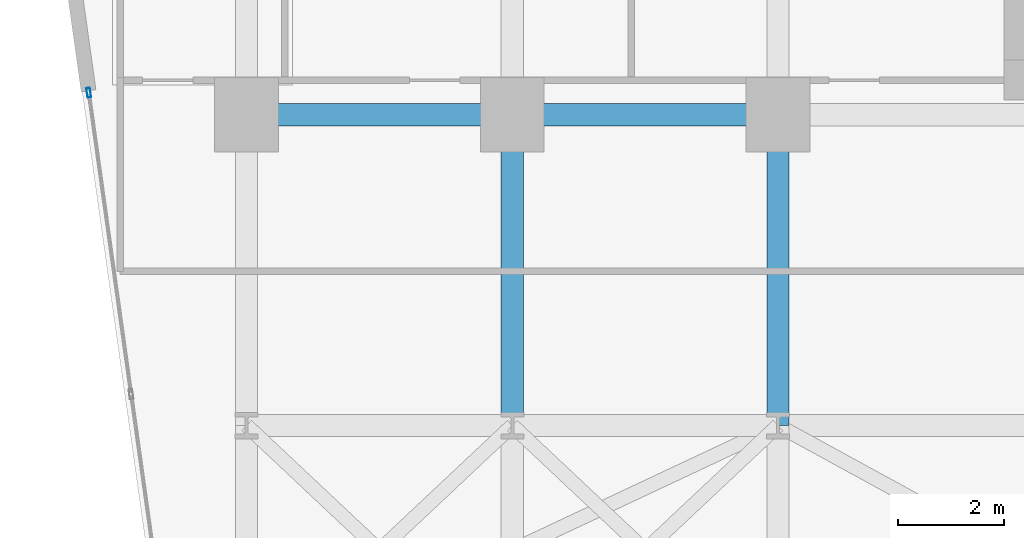
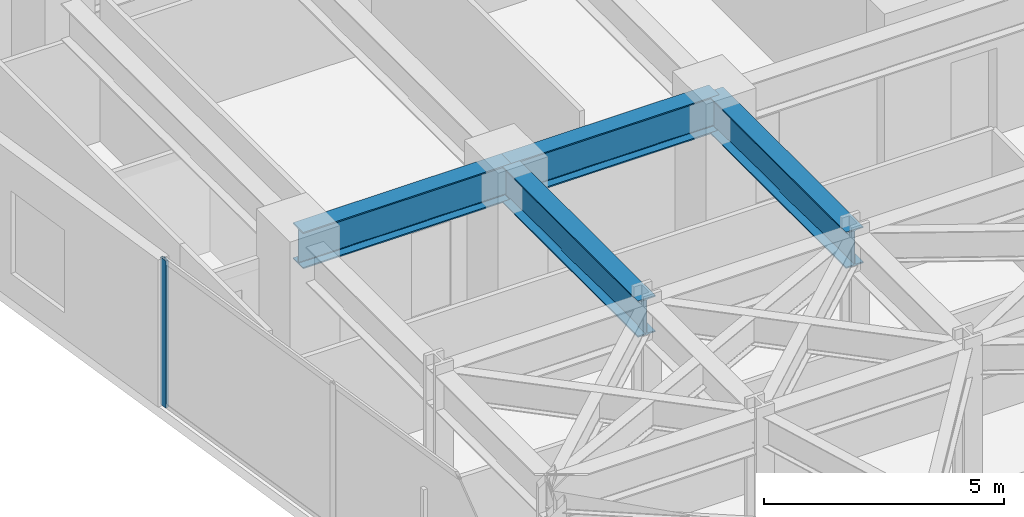
# One storey, part 17 of 24: 4 beams, 1 member, 1 element without a shape of its own.
"""IFC4 building model written with IfcOpenShell, lengths in metres."""

import ifcopenshell
import ifcopenshell.guid

model = None  # the IFC model being written
_history = None  # IfcOwnerHistory: only IFC2X3 demands one
_inside = {}  # id of a spatial element -> (the spatial element, [elements in it])
_under = {}  # id of a project, library or spatial element -> (it, [spatial elements below it])
_declared = {}  # id of a project -> (the project, [libraries it declares])
_typed = {}  # id of a type object -> (the type object, [elements of that type])
_made_of = {}  # id of a material, layer set ... -> (it, [elements and type objects made of it])


def new_model(schema):
    """Start an empty IFC model of exactly this schema.

    Asked for "IFC4X3", IfcOpenShell would pick the latest addendum, in which some entities
    have other attributes; the version numbers below select the first issue.
    IFC2X3 requires an IfcOwnerHistory on every rooted entity: one is made here for all.
    """
    global model, _history
    if schema == "IFC4X3":
        model = ifcopenshell.file(schema_version=(4, 3, 0, 0))
    else:
        model = ifcopenshell.file(schema=schema)
    _inside.clear()
    _under.clear()
    _declared.clear()
    _typed.clear()
    _made_of.clear()
    _history = None
    if model.schema == "IFC2X3":
        org = make("IfcOrganization", Name="unknown")
        user = make(
            "IfcPersonAndOrganization",
            ThePerson=make("IfcPerson", FamilyName="unknown"),
            TheOrganization=org,
        )
        app = make(
            "IfcApplication",
            ApplicationDeveloper=org,
            Version="unknown",
            ApplicationFullName="unknown",
            ApplicationIdentifier="unknown",
        )
        _history = make(
            "IfcOwnerHistory",
            OwningUser=user,
            OwningApplication=app,
            ChangeAction="ADDED",
            CreationDate=0,
        )
    return model


def make(cls, **values):
    """One entity of the class cls with the attributes given. An attribute that is None is left unset."""
    return model.create_entity(
        cls, **{name: value for name, value in values.items() if value is not None}
    )


def rooted(cls, **values):
    """An entity with a GlobalId (a new one), such as an element, a storey or a relation."""
    return make(cls, GlobalId=ifcopenshell.guid.new(), OwnerHistory=_history, **values)


def si_unit(unit_type, name, prefix=None):
    """IfcSIUnit, for example si_unit("LENGTHUNIT", "METRE", prefix="MILLI")."""
    return make("IfcSIUnit", UnitType=unit_type, Prefix=prefix, Name=name)


def assignment(units):
    """IfcUnitAssignment: the units of a project."""
    return None if units is None else make("IfcUnitAssignment", Units=units)


def point(xyz):
    """IfcCartesianPoint."""
    return None if xyz is None else make("IfcCartesianPoint", Coordinates=xyz)


def direction(xyz):
    """IfcDirection."""
    return None if xyz is None else make("IfcDirection", DirectionRatios=xyz)


def frame(location, z_axis=None, x_axis=None):
    """IfcAxis2Placement3D, a coordinate frame: its origin and axes. An axis left out is left unset."""
    return make(
        "IfcAxis2Placement3D",
        Location=point(location),
        Axis=direction(z_axis),
        RefDirection=direction(x_axis),
    )


def frame_2d(location, x_axis=None):
    """IfcAxis2Placement2D, a coordinate frame in the plane: its origin and x axis."""
    return make(
        "IfcAxis2Placement2D", Location=point(location), RefDirection=direction(x_axis)
    )


def origin():
    """The frame at (0, 0, 0) with its axes left unset."""
    return frame((0.0, 0.0, 0.0))


def origin_2d():
    """The frame at (0, 0) in the plane with its x axis left unset."""
    return frame_2d((0.0, 0.0))


def place(relative_to, where):
    """IfcLocalPlacement: puts the frame where relative to a parent placement (None: the world)."""
    return make(
        "IfcLocalPlacement", PlacementRelTo=relative_to, RelativePlacement=where
    )


def context(
    kind, dimensions, precision=None, world=None, true_north=None, identifier=None
):
    """IfcGeometricRepresentationContext, for example the 3D "Model" context."""
    return make(
        "IfcGeometricRepresentationContext",
        ContextIdentifier=identifier,
        ContextType=kind,
        CoordinateSpaceDimension=dimensions,
        Precision=precision,
        WorldCoordinateSystem=world,
        TrueNorth=true_north,
    )


def subcontext(parent, identifier, kind, view, scale=None):
    """IfcGeometricRepresentationSubContext, for example "Body" below "Model"."""
    return make(
        "IfcGeometricRepresentationSubContext",
        ContextIdentifier=identifier,
        ContextType=kind,
        ParentContext=parent,
        TargetScale=scale,
        TargetView=view,
    )


def project(units=None, contexts=None):
    """IfcProject with its units and contexts."""
    return rooted(
        "IfcProject",
        Name="project",
        RepresentationContexts=contexts,
        UnitsInContext=assignment(units),
    )


def spatial(cls, under=None, at=None, **own):
    """A site, building, storey or space (cls), placed at a placement, below another one or the project."""
    s = rooted(cls, ObjectPlacement=at, **own)
    if under is not None:
        _under.setdefault(under.id(), (under, []))[1].append(s)
    return s


def profile(cls, at=None, kind="AREA", **sizes):
    """A parametric profile (cls). Its sizes go by their IFC names, for example OverallWidth=200.0."""
    return make(cls, ProfileType=kind, Position=at, **sizes)


def hollow_rectangle(**sizes):
    """IfcRectangleHollowProfileDef."""
    return profile("IfcRectangleHollowProfileDef", **sizes)


def i_section(**sizes):
    """IfcIShapeProfileDef."""
    return profile("IfcIShapeProfileDef", **sizes)


def extrude(swept, where, along, depth):
    """IfcExtrudedAreaSolid: the profile swept, set in the frame where, extruded along a direction by depth."""
    return make(
        "IfcExtrudedAreaSolid",
        SweptArea=swept,
        Position=where,
        ExtrudedDirection=direction(along),
        Depth=depth,
    )


def shape(context_of_items, identifier, shape_type, items):
    """IfcShapeRepresentation: the items that make up one representation, for example the "Body"."""
    return make(
        "IfcShapeRepresentation",
        ContextOfItems=context_of_items,
        RepresentationIdentifier=identifier,
        RepresentationType=shape_type,
        Items=items,
    )


def material(Name=None, Category=None):
    """IfcMaterial."""
    return make("IfcMaterial", Name=Name, Category=Category)


def layer(
    of_material, thickness, ventilated=None, Name=None, Category=None, Priority=None
):
    """IfcMaterialLayer: one layer of a wall or slab, of a material (None: an air gap)."""
    return make(
        "IfcMaterialLayer",
        Material=of_material,
        LayerThickness=thickness,
        IsVentilated=ventilated,
        Name=Name,
        Category=Category,
        Priority=Priority,
    )


def layer_set(layers, Name=None):
    """IfcMaterialLayerSet."""
    return make("IfcMaterialLayerSet", MaterialLayers=layers, LayerSetName=Name)


def material_profile(
    of_material, cross_section, Name=None, Category=None, Priority=None
):
    """IfcMaterialProfile: a cross section and its material."""
    return make(
        "IfcMaterialProfile",
        Name=Name,
        Material=of_material,
        Profile=cross_section,
        Priority=Priority,
        Category=Category,
    )


def profile_set(profiles, Name=None, composite=None):
    """IfcMaterialProfileSet."""
    return make(
        "IfcMaterialProfileSet",
        Name=Name,
        MaterialProfiles=profiles,
        CompositeProfile=composite,
    )


def made_of(thing, what):
    """Note that an element or type object is made of a material, layer set ...; save() writes the relation."""
    if what is not None:
        _made_of.setdefault(what.id(), (what, []))[1].append(thing)
    return thing


def type_object(cls, material=None, **own):
    """A type object (cls), such as IfcWallType, which elements share."""
    return made_of(rooted(cls, **own), material)


def element(
    cls,
    number,
    at=None,
    inside=None,
    cuts=None,
    type_object=None,
    material=None,
    context=None,
    identifier="Body",
    shape_type=None,
    held_by="IfcProductDefinitionShape",
    body=None,
    shapes=None,
    **own,
):
    """One element of the class cls, such as IfcWall. Its Tag is "e" and its number.

    at: its placement. inside: the storey or other place that contains it. cuts: it is an
    opening in that element (IfcRelVoidsElement). A single representation is given by context,
    identifier, shape_type and body (its items); several are given by shapes. held_by: the class
    of the entity that holds the representations. save() writes the other relations.
    """
    e = rooted(cls, Tag="e%d" % number, ObjectPlacement=at, **own)
    if body is not None:
        shapes = [shape(context, identifier, shape_type, body)]
    if shapes is not None:
        e.Representation = make(held_by, Representations=shapes)
    if inside is not None:
        _inside.setdefault(inside.id(), (inside, []))[1].append(e)
    if cuts is not None:
        rooted(
            "IfcRelVoidsElement", RelatingBuildingElement=cuts, RelatedOpeningElement=e
        )
    if type_object is not None:
        _typed.setdefault(type_object.id(), (type_object, []))[1].append(e)
    return made_of(e, material)


def aggregate(whole, parts):
    """IfcRelAggregates: a whole, such as a stair, and the parts it consists of."""
    return rooted("IfcRelAggregates", RelatingObject=whole, RelatedObjects=parts)


def save(model, path):
    """Write the relations noted so far, then the file.

    IfcRelAggregates (storeys below a building ...), IfcRelContainedInSpatialStructure (elements
    in a storey), IfcRelDefinesByType, IfcRelAssociatesMaterial and IfcRelDeclares: one each for
    every whole, place, type object, material and project.
    """
    for whole, parts in _under.values():
        aggregate(whole, parts)
    for where, things in _inside.values():
        rooted(
            "IfcRelContainedInSpatialStructure",
            RelatedElements=things,
            RelatingStructure=where,
        )
    for kind, things in _typed.values():
        rooted("IfcRelDefinesByType", RelatedObjects=things, RelatingType=kind)
    for what, things in _made_of.values():
        rooted("IfcRelAssociatesMaterial", RelatedObjects=things, RelatingMaterial=what)
    for by, libraries in _declared.values():
        rooted("IfcRelDeclares", RelatingContext=by, RelatedDefinitions=libraries)
    model.write(path)


model = new_model("IFC4")

# Units and contexts
model_context = context("Model", 3, precision=1e-05, world=origin(), true_north=direction((0.0, 1.0)))
body_context = subcontext(model_context, "Body", "Model", "MODEL_VIEW")
ifc_project = project(units=[si_unit("LENGTHUNIT", "METRE"), si_unit("AREAUNIT", "SQUARE_METRE"), si_unit("VOLUMEUNIT", "CUBIC_METRE"), si_unit("PLANEANGLEUNIT", "RADIAN"), si_unit("MASSUNIT", "GRAM", prefix="KILO")], contexts=[model_context])

# Site, building, storey
site_placement = place(None, origin())
site = spatial("IfcSite", under=ifc_project, at=site_placement, CompositionType="ELEMENT")
building_placement = place(site_placement, origin())
building = spatial("IfcBuilding", under=site, at=building_placement, Name="Kravanh Interchange Tower", CompositionType="ELEMENT")
storey_placement = place(building_placement, frame((0.0, 0.0, 61.5)))
storey = spatial("IfcBuildingStorey", under=building, at=storey_placement, Name="L14", CompositionType="ELEMENT", Elevation=61.5)

# Curtain wall, member
ifc_material_1 = material(Name="Anodised Bronze Aluminium", Category="aluminium")
ifc_layer = layer(ifc_material_1, 0.179931640625)
ifc_layer_set = layer_set([ifc_layer], Name="Unitised Curtain Wall System CW-Z1 Lower Office")
curtain_wall_type = type_object("IfcCurtainWallType", Name="Unitised Curtain Wall System CW-Z1 Lower Office", PredefinedType="NOTDEFINED", material=ifc_layer_set)
curtain_wall_placement = place(storey_placement, origin())
curtain_wall = element("IfcCurtainWall", 1, at=curtain_wall_placement, inside=storey, type_object=curtain_wall_type, Name="L14 Unitised Curtain Wall CW-L14-01", PredefinedType="NOTDEFINED")
ifc_material_2 = material(Name="Anodised Bronze Aluminium", Category="aluminium")
ifc_material_profile_1 = material_profile(ifc_material_2, hollow_rectangle(XDim=0.070068359375, YDim=0.179931640625, WallThickness=0.00390625, at=origin_2d()), Name="ALU70X180X4")
ifc_profile_set_1 = profile_set([ifc_material_profile_1], Name="Anodised Bronze Aluminium")
member_type = type_object("IfcMemberType", Name="Curtain Wall Mullion ALU70X180X4 Bronze", PredefinedType="MULLION", material=ifc_profile_set_1)
member_placement = place(storey_placement, frame((5.6298828125, 37.765380859375, 0.0), z_axis=(0.0, 0.0, 1.0), x_axis=(-0.990267585682, -0.139176538065, 0.0)))
member = element("IfcMember", 2, at=member_placement, type_object=member_type, Name="CW-Z1 mullion 7", PredefinedType="MULLION", context=body_context, shape_type="SweptSolid", body=[
    extrude(hollow_rectangle(XDim=0.070068359375, YDim=0.179931640625, WallThickness=0.00390625, at=origin_2d()), origin(), (0.0, 0.0, 1.0), 3.739990234375),
])
aggregate(curtain_wall, [member])

# Beams
ifc_material_3 = material(Name="Structural Steel S355", Category="steel")
ifc_material_profile_2 = material_profile(ifc_material_3, i_section(OverallWidth=0.41796875, OverallDepth=0.927001953125, WebThickness=0.019287109375, FlangeThickness=0.031982421875, FilletRadius=0.028076171875, at=origin_2d()), Name="W36X231")
ifc_profile_set_2 = profile_set([ifc_material_profile_2], Name="Structural Steel S355")
beam_type = type_object("IfcBeamType", Name="Floor Beam W36X231 Structural Steel S355", PredefinedType="BEAM", material=ifc_profile_set_2)
beam_1_placement = place(storey_placement, frame((18.60009765625, 37.35009765625, 3.276611328125), z_axis=(-1.0, 0.0, 0.0), x_axis=(0.0, -1.0, 0.0)))
element("IfcBeam", 3, at=beam_1_placement, inside=storey, type_object=beam_type, Name="L14 Primary Floor Girder 28", PredefinedType="BEAM", context=body_context, shape_type="SweptSolid", body=[
    extrude(i_section(OverallWidth=0.41796875, OverallDepth=0.927001953125, WebThickness=0.019287109375, FlangeThickness=0.031982421875, FilletRadius=0.028076171875, at=origin_2d()), origin(), (0.0, 0.0, 1.0), 5.0),
])
beam_2_placement = place(storey_placement, frame((18.60009765625, 37.35009765625, 3.276611328125), z_axis=(0.0, -1.0, 0.0), x_axis=(1.0, 0.0, 0.0)))
element("IfcBeam", 4, at=beam_2_placement, inside=storey, type_object=beam_type, Name="L14 Primary Floor Girder 29", PredefinedType="BEAM", context=body_context, shape_type="SweptSolid", body=[
    extrude(i_section(OverallWidth=0.41796875, OverallDepth=0.927001953125, WebThickness=0.019287109375, FlangeThickness=0.031982421875, FilletRadius=0.028076171875, at=origin_2d()), origin(), (0.0, 0.0, 1.0), 5.85009765625),
])
beam_3_placement = place(storey_placement, frame((13.60009765625, 37.35009765625, 3.276611328125), z_axis=(-1.0, 0.0, 0.0), x_axis=(0.0, -1.0, 0.0)))
element("IfcBeam", 5, at=beam_3_placement, inside=storey, type_object=beam_type, Name="L14 Primary Floor Girder 32", PredefinedType="BEAM", context=body_context, shape_type="SweptSolid", body=[
    extrude(i_section(OverallWidth=0.41796875, OverallDepth=0.927001953125, WebThickness=0.019287109375, FlangeThickness=0.031982421875, FilletRadius=0.028076171875, at=origin_2d()), origin(), (0.0, 0.0, 1.0), 5.0),
])
beam_4_placement = place(storey_placement, frame((13.60009765625, 37.35009765625, 3.276611328125), z_axis=(0.0, -1.0, 0.0), x_axis=(1.0, 0.0, 0.0)))
element("IfcBeam", 6, at=beam_4_placement, inside=storey, type_object=beam_type, Name="L14 Primary Floor Girder 33", PredefinedType="BEAM", context=body_context, shape_type="SweptSolid", body=[
    extrude(i_section(OverallWidth=0.41796875, OverallDepth=0.927001953125, WebThickness=0.019287109375, FlangeThickness=0.031982421875, FilletRadius=0.028076171875, at=origin_2d()), origin(), (0.0, 0.0, 1.0), 5.85009765625),
])

save(model, "model.ifc")
